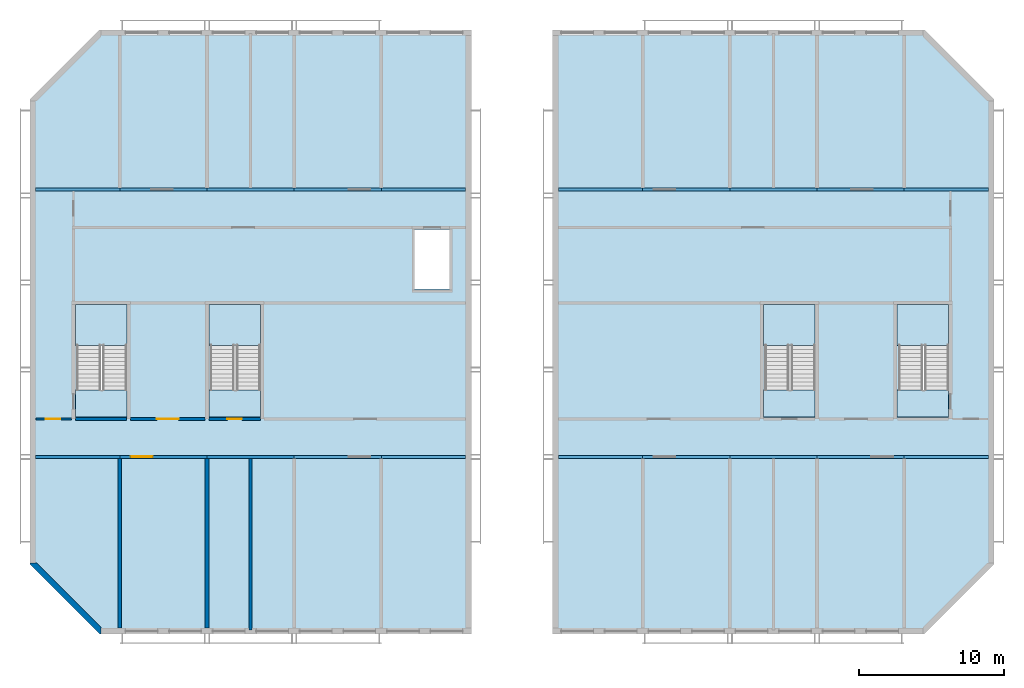
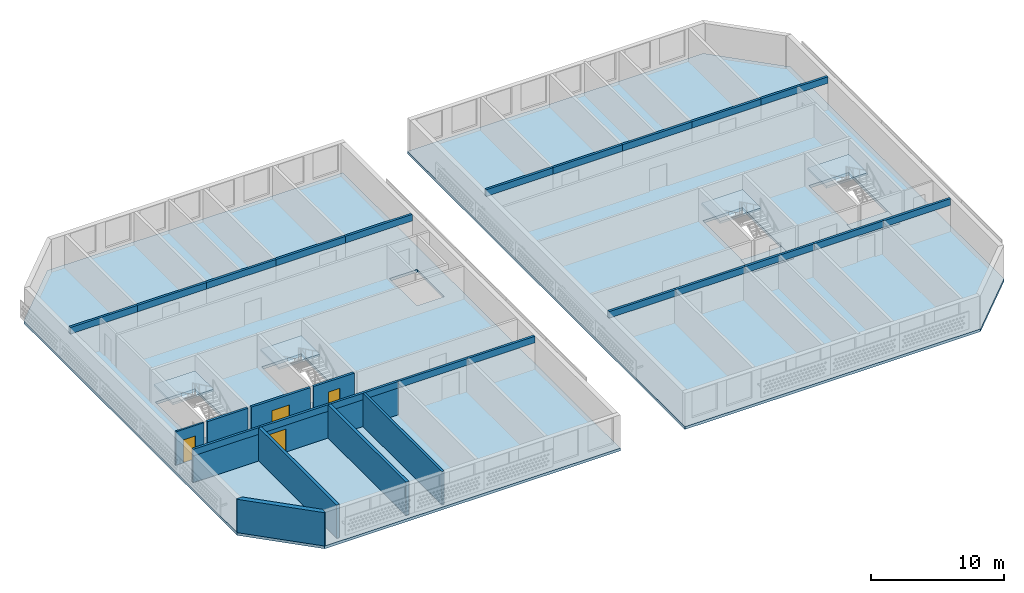
# One storey, part 1 of 18: 20 beams, 11 walls, 10 slabs, 4 doors, 4 openings, 4 elements without a shape of their own.
"""IFC4 building model written with IfcOpenShell, lengths in metres."""

from ifc_helpers import new_model, si_unit, direction, frame, frame_2d, origin, origin_2d, place, context, subcontext, project, spatial, polyline, rectangle, outline, extrude, source, transform, mapped, material, layer, layer_set, material_profile, profile_set, type_object, element, fill, aggregate, save


model = new_model("IFC4")

# Units and contexts
model_context = context("Model", 3, precision=1e-05, world=origin(), true_north=direction((0.0, 1.0)))
body_context = subcontext(model_context, "Body", "Model", "MODEL_VIEW")
ifc_project = project(units=[si_unit("LENGTHUNIT", "METRE"), si_unit("AREAUNIT", "SQUARE_METRE"), si_unit("VOLUMEUNIT", "CUBIC_METRE"), si_unit("PLANEANGLEUNIT", "RADIAN"), si_unit("MASSUNIT", "GRAM", prefix="KILO")], contexts=[model_context])

# Site, building, storey
site_placement = place(None, origin())
site = spatial("IfcSite", under=ifc_project, at=site_placement, CompositionType="ELEMENT")
building_placement = place(site_placement, origin())
building = spatial("IfcBuilding", under=site, at=building_placement, Name="Poui Terraces", CompositionType="ELEMENT")
storey_placement = place(building_placement, frame((0.0, 0.0, 275.699951171875)))
storey = spatial("IfcBuildingStorey", under=building, at=storey_placement, Name="L76 CROWN", CompositionType="ELEMENT", Elevation=275.699951171875)

# Beams
ifc_material_1 = material(Name="Concrete 50 MPa", Category="concrete")
ifc_material_profile = material_profile(ifc_material_1, rectangle(XDim=0.199951171875, YDim=0.60009765625, at=origin_2d()), Name="RC 200x600")
ifc_profile_set = profile_set([ifc_material_profile], Name="Concrete 50 MPa")
beam_type = type_object("IfcBeamType", Name="COUPLING BEAM 200x600 50MPa", PredefinedType="BEAM", material=ifc_profile_set)
shared_shape_1 = source(origin(), body_context, "Body", "SweptSolid", [
    extrude(rectangle(XDim=0.199951171875, YDim=0.60009765625, at=origin_2d()), origin(), (0.0, 0.0, 1.0), 5.800048828125),
])
for number, where, z_axis, x_axis, name in (
    (1, (18.199951171875, 12.0, 2.75), (1.0, 0.0, 0.0), (0.0, 1.0, 0.0), "COUPLING BEAM LINE B BAY W1"),
    (2, (42.0, 12.0, 2.75), (1.0, 0.0, 0.0), (0.0, 1.0, 0.0), "COUPLING BEAM LINE B BAY W5"),
    (3, (18.199951171875, 30.39990234375, 2.75), (1.0, 0.0, 0.0), (0.0, 1.0, 0.0), "COUPLING BEAM LINE E BAY W1"),
    (4, (42.0, 30.39990234375, 2.75), (1.0, 0.0, 0.0), (0.0, 1.0, 0.0), "COUPLING BEAM LINE E BAY W5"),
    (5, (54.199951171875, 12.0, 2.75), (1.0, 0.0, 0.0), (0.0, 1.0, 0.0), "COUPLING BEAM LINE B BAY E1"),
    (6, (78.0, 12.0, 2.75), (1.0, 0.0, 0.0), (0.0, 1.0, 0.0), "COUPLING BEAM LINE B BAY E5"),
    (7, (54.199951171875, 30.39990234375, 2.75), (1.0, 0.0, 0.0), (0.0, 1.0, 0.0), "COUPLING BEAM LINE E BAY E1"),
    (8, (78.0, 30.39990234375, 2.75), (1.0, 0.0, 0.0), (0.0, 1.0, 0.0), "COUPLING BEAM LINE E BAY E5"),
):
    element("IfcBeam", number, at=place(storey_placement, frame(where, z_axis=z_axis, x_axis=x_axis)), inside=storey, type_object=beam_type, Name=name, PredefinedType="BEAM", context=body_context, shape_type="MappedRepresentation", body=[
        mapped(shared_shape_1, transform((0.0, 0.0, 0.0))),
    ])
shared_shape_2 = source(origin(), body_context, "Body", "SweptSolid", [
    extrude(rectangle(XDim=0.199951171875, YDim=0.60009765625, at=origin_2d()), origin(), (0.0, 0.0, 1.0), 6.0),
])
for number, where, z_axis, x_axis, name in (
    (9, (24.0, 12.0, 2.75), (1.0, 0.0, 0.0), (0.0, 1.0, 0.0), "COUPLING BEAM LINE B BAY W2"),
    (10, (30.0, 12.0, 2.75), (1.0, 0.0, 0.0), (0.0, 1.0, 0.0), "COUPLING BEAM LINE B BAY W3"),
    (11, (36.0, 12.0, 2.75), (1.0, 0.0, 0.0), (0.0, 1.0, 0.0), "COUPLING BEAM LINE B BAY W4"),
    (12, (24.0, 30.39990234375, 2.75), (1.0, 0.0, 0.0), (0.0, 1.0, 0.0), "COUPLING BEAM LINE E BAY W2"),
    (13, (30.0, 30.39990234375, 2.75), (1.0, 0.0, 0.0), (0.0, 1.0, 0.0), "COUPLING BEAM LINE E BAY W3"),
    (14, (36.0, 30.39990234375, 2.75), (1.0, 0.0, 0.0), (0.0, 1.0, 0.0), "COUPLING BEAM LINE E BAY W4"),
    (15, (60.0, 12.0, 2.75), (1.0, 0.0, 0.0), (0.0, 1.0, 0.0), "COUPLING BEAM LINE B BAY E2"),
    (16, (66.0, 12.0, 2.75), (1.0, 0.0, 0.0), (0.0, 1.0, 0.0), "COUPLING BEAM LINE B BAY E3"),
    (17, (72.0, 12.0, 2.75), (1.0, 0.0, 0.0), (0.0, 1.0, 0.0), "COUPLING BEAM LINE B BAY E4"),
    (18, (60.0, 30.39990234375, 2.75), (1.0, 0.0, 0.0), (0.0, 1.0, 0.0), "COUPLING BEAM LINE E BAY E2"),
    (19, (66.0, 30.39990234375, 2.75), (1.0, 0.0, 0.0), (0.0, 1.0, 0.0), "COUPLING BEAM LINE E BAY E3"),
    (20, (72.0, 30.39990234375, 2.75), (1.0, 0.0, 0.0), (0.0, 1.0, 0.0), "COUPLING BEAM LINE E BAY E4"),
):
    element("IfcBeam", number, at=place(storey_placement, frame(where, z_axis=z_axis, x_axis=x_axis)), inside=storey, type_object=beam_type, Name=name, PredefinedType="BEAM", context=body_context, shape_type="MappedRepresentation", body=[
        mapped(shared_shape_2, transform((0.0, 0.0, 0.0))),
    ])

# Stair, slabs
stair_type = type_object("IfcStairType", Name="EXIT STAIR 1650 50 MPA", PredefinedType="HALF_TURN_STAIR", material=ifc_material_1)
stair_1_placement = place(storey_placement, origin())
stair_1 = element("IfcStair", 21, at=stair_1_placement, inside=storey, type_object=stair_type, Name="L76 CROWN CORE STAIR EAST", PredefinedType="HALF_TURN_STAIR")
ifc_layer_1 = layer(ifc_material_1, 0.199951171875)
ifc_layer_set_1 = layer_set([ifc_layer_1], Name="Concrete 50 MPa")
slab_type_1 = type_object("IfcSlabType", Name="STAIR LANDING 200 50 MPA", PredefinedType="LANDING", material=ifc_layer_set_1)
slab_1_placement = place(storey_placement, frame((0.0, 0.0, 1.449951171875)))
slab_1 = element("IfcSlab", 22, at=slab_1_placement, type_object=slab_type_1, Name="ST-CE landing 1", PredefinedType="LANDING", context=body_context, shape_type="SweptSolid", body=[
    extrude(outline(polyline([(68.324951171875, 19.679931640625), (71.875, 19.679931640625), (71.875, 22.47509765625), (68.324951171875, 22.47509765625), (68.324951171875, 19.679931640625)])), origin(), (0.0, 0.0, 1.0), 0.2001953125),
])
slab_2_placement = place(storey_placement, frame((0.0, 0.0, -0.199951171875)))
slab_2 = element("IfcSlab", 23, at=slab_2_placement, type_object=slab_type_1, Name="ST-CE landing 2", PredefinedType="LANDING", context=body_context, shape_type="SweptSolid", body=[
    extrude(outline(polyline([(68.324951171875, 14.75), (71.875, 14.75), (71.875, 16.60009765625), (68.324951171875, 16.60009765625), (68.324951171875, 14.75)])), origin(), (0.0, 0.0, 1.0), 0.199951171875),
])
aggregate(stair_1, [slab_1, slab_2])

stair_2_placement = place(storey_placement, origin())
stair_2 = element("IfcStair", 24, at=stair_2_placement, inside=storey, type_object=stair_type, Name="L76 CROWN CORE STAIR WEST", PredefinedType="HALF_TURN_STAIR")
slab_3_placement = place(storey_placement, frame((0.0, 0.0, 1.449951171875)))
slab_3 = element("IfcSlab", 25, at=slab_3_placement, type_object=slab_type_1, Name="ST-CW landing 1", PredefinedType="LANDING", context=body_context, shape_type="SweptSolid", body=[
    extrude(outline(polyline([(30.125, 19.679931640625), (33.675048828125, 19.679931640625), (33.675048828125, 22.47509765625), (30.125, 22.47509765625), (30.125, 19.679931640625)])), origin(), (0.0, 0.0, 1.0), 0.2001953125),
])
slab_4_placement = place(storey_placement, frame((0.0, 0.0, -0.199951171875)))
slab_4 = element("IfcSlab", 26, at=slab_4_placement, type_object=slab_type_1, Name="ST-CW landing 2", PredefinedType="LANDING", context=body_context, shape_type="SweptSolid", body=[
    extrude(outline(polyline([(30.125, 14.75), (33.675048828125, 14.75), (33.675048828125, 16.60009765625), (30.125, 16.60009765625), (30.125, 14.75)])), origin(), (0.0, 0.0, 1.0), 0.199951171875),
])
aggregate(stair_2, [slab_3, slab_4])

stair_3_placement = place(storey_placement, origin())
stair_3 = element("IfcStair", 27, at=stair_3_placement, inside=storey, type_object=stair_type, Name="L76 CROWN TIP STAIR EAST", PredefinedType="HALF_TURN_STAIR")
slab_5_placement = place(storey_placement, frame((0.0, 0.0, 1.449951171875)))
slab_5 = element("IfcSlab", 28, at=slab_5_placement, type_object=slab_type_1, Name="ST-E landing 1", PredefinedType="LANDING", context=body_context, shape_type="SweptSolid", body=[
    extrude(outline(polyline([(77.52490234375, 19.679931640625), (81.074951171875, 19.679931640625), (81.074951171875, 22.47509765625), (77.52490234375, 22.47509765625), (77.52490234375, 19.679931640625)])), origin(), (0.0, 0.0, 1.0), 0.2001953125),
])
slab_6_placement = place(storey_placement, frame((0.0, 0.0, -0.199951171875)))
slab_6 = element("IfcSlab", 29, at=slab_6_placement, type_object=slab_type_1, Name="ST-E landing 2", PredefinedType="LANDING", context=body_context, shape_type="SweptSolid", body=[
    extrude(outline(polyline([(77.52490234375, 14.75), (81.074951171875, 14.75), (81.074951171875, 16.60009765625), (77.52490234375, 16.60009765625), (77.52490234375, 14.75)])), origin(), (0.0, 0.0, 1.0), 0.199951171875),
])
aggregate(stair_3, [slab_5, slab_6])

stair_4_placement = place(storey_placement, origin())
stair_4 = element("IfcStair", 30, at=stair_4_placement, inside=storey, type_object=stair_type, Name="L76 CROWN TIP STAIR WEST", PredefinedType="HALF_TURN_STAIR")
slab_7_placement = place(storey_placement, frame((0.0, 0.0, 1.449951171875)))
slab_7 = element("IfcSlab", 31, at=slab_7_placement, type_object=slab_type_1, Name="ST-W landing 1", PredefinedType="LANDING", context=body_context, shape_type="SweptSolid", body=[
    extrude(outline(polyline([(20.925048828125, 19.679931640625), (24.47509765625, 19.679931640625), (24.47509765625, 22.47509765625), (20.925048828125, 22.47509765625), (20.925048828125, 19.679931640625)])), origin(), (0.0, 0.0, 1.0), 0.2001953125),
])
slab_8_placement = place(storey_placement, frame((0.0, 0.0, -0.199951171875)))
slab_8 = element("IfcSlab", 32, at=slab_8_placement, type_object=slab_type_1, Name="ST-W landing 2", PredefinedType="LANDING", context=body_context, shape_type="SweptSolid", body=[
    extrude(outline(polyline([(20.925048828125, 14.75), (24.47509765625, 14.75), (24.47509765625, 16.60009765625), (20.925048828125, 16.60009765625), (20.925048828125, 14.75)])), origin(), (0.0, 0.0, 1.0), 0.199951171875),
])
aggregate(stair_4, [slab_7, slab_8])

# Slabs
ifc_material_2 = material(Name="Concrete 40 MPa", Category="concrete")
ifc_layer_2 = layer(ifc_material_2, 0.25)
ifc_layer_set_2 = layer_set([ifc_layer_2], Name="Concrete 40 MPa")
slab_type_2 = type_object("IfcSlabType", Name="FLOOR SLAB 250", PredefinedType="FLOOR", material=ifc_layer_set_2)
shared_shape_3 = source(origin(), body_context, "Body", "SweptSolid", [
    extrude(outline(polyline([(0.0, 0.0), (4.800048828125, -4.800048828125), (30.39990234375, -4.800048828125), (30.39990234375, 36.7998046875), (4.800048828125, 36.7998046875), (0.0, 32.0), (0.0, 0.0)]), holes=[polyline([(3.125, 12.0), (3.224853515625, 12.0), (3.224853515625, 17.849853515625), (6.675048828125, 17.849853515625), (6.675048828125, 12.0), (6.675048828125, 10.14990234375), (3.125, 10.14990234375), (3.125, 12.0)]), polyline([(12.324951171875, 12.0), (12.425048828125, 12.0), (12.425048828125, 17.849853515625), (15.875, 17.849853515625), (15.875, 12.0), (15.875, 10.14990234375), (12.324951171875, 10.14990234375), (12.324951171875, 12.0)]), polyline([(28.89990234375, 18.949951171875), (26.5, 18.949951171875), (26.5, 23.0498046875), (28.89990234375, 23.0498046875), (28.89990234375, 18.949951171875)])]), origin(), (0.0, 0.0, 1.0), 0.25),
])
slab_9_placement = place(storey_placement, frame((17.800048828125, 4.60009765625, -0.25)))
element("IfcSlab", 33, at=slab_9_placement, inside=storey, type_object=slab_type_2, Name="FLOOR SLAB", PredefinedType="FLOOR", context=body_context, shape_type="MappedRepresentation", body=[
    mapped(shared_shape_3, transform((0.0, 0.0, 0.0))),
])
shared_shape_4 = source(origin(), body_context, "Body", "SweptSolid", [
    extrude(outline(polyline([(0.0, 0.0), (0.0, -41.599853515625), (25.599853515625, -41.599853515625), (30.39990234375, -36.7998046875), (30.39990234375, -4.7998046875), (25.599853515625, 0.0), (0.0, 0.0)]), holes=[polyline([(14.52490234375, -24.7998046875), (14.625, -24.7998046875), (14.625, -18.949951171875), (18.074951171875, -18.949951171875), (18.074951171875, -24.7998046875), (18.074951171875, -26.64990234375), (14.52490234375, -26.64990234375), (14.52490234375, -24.7998046875)]), polyline([(23.824951171875, -24.7998046875), (23.824951171875, -18.949951171875), (27.27490234375, -18.949951171875), (27.27490234375, -24.7998046875), (27.27490234375, -26.64990234375), (23.724853515625, -26.64990234375), (23.724853515625, -24.7998046875), (23.824951171875, -24.7998046875)])]), origin(), (0.0, 0.0, 1.0), 0.25),
])
slab_10_placement = place(storey_placement, frame((53.800048828125, 41.39990234375, -0.25)))
element("IfcSlab", 34, at=slab_10_placement, inside=storey, type_object=slab_type_2, Name="FLOOR SLAB", PredefinedType="FLOOR", context=body_context, shape_type="MappedRepresentation", body=[
    mapped(shared_shape_4, transform((0.0, 0.0, 0.0))),
])

# Wall, opening, door
ifc_material_3 = material(Name="Fire-rated plasterboard wall")
ifc_layer_3 = layer(ifc_material_3, 0.14990234375)
ifc_layer_set_3 = layer_set([ifc_layer_3], Name="Fire-rated plasterboard wall")
wall_type_1 = type_object("IfcWallType", Name="CORRIDOR WALL 150", PredefinedType="PARTITIONING", material=ifc_layer_set_3)
wall_1_placement = place(storey_placement, frame((18.2099609375, 14.60009765625, 0.0), z_axis=(0.0, 0.0, 1.0), x_axis=(1.0, 0.0, 0.0)))
wall_1 = element("IfcWall", 35, at=wall_1_placement, inside=storey, type_object=wall_type_1, Name="CORRIDOR WALL 150", PredefinedType="PARTITIONING", context=body_context, shape_type="SweptSolid", body=[
    extrude(rectangle(XDim=2.455078125, YDim=0.14990234375, at=frame_2d((1.2275390625, 0.0))), origin(), (0.0, 0.0, 1.0), 3.050048828125),
])
opening_1_placement = place(wall_1_placement, frame((0.68994140625, 0.0, 0.0)))
opening_1 = element("IfcOpeningElement", 36, at=opening_1_placement, cuts=wall_1, Name="Opening FDL", PredefinedType="OPENING", context=body_context, shape_type="SweptSolid", body=[
    extrude(rectangle(XDim=1.0, YDim=2.10009765625, at=frame_2d((0.5, 1.050048828125))), frame((0.0, 0.0849609375, 0.0), z_axis=(0.0, -1.0, 0.0), x_axis=(1.0, 0.0, 0.0)), (0.0, 0.0, 1.0), 0.169921875),
])
ifc_material_4 = material(Name="Steel fire door", Category="steel")
door_type_1 = type_object("IfcDoorType", Name="LOBBY FIRE DOOR 1000 X 2100", OperationType="NOTDEFINED", PredefinedType="DOOR", material=ifc_material_4)
door_1_placement = place(opening_1_placement, origin())
door_1 = element("IfcDoor", 37, at=door_1_placement, inside=storey, type_object=door_type_1, Name="LOBBY FIRE DOOR 020", OperationType="SINGLE_SWING_RIGHT", OverallHeight=2.10009765625, OverallWidth=1.0, PredefinedType="DOOR", context=body_context, shape_type="SweptSolid", body=[
    extrude(rectangle(XDim=1.0, YDim=2.10009765625, at=frame_2d((0.5, 1.050048828125))), frame((0.0, 0.02490234375, 0.0), z_axis=(0.0, -1.0, 0.0), x_axis=(1.0, 0.0, 0.0)), (0.0, 0.0, 1.0), 0.050048828125),
])
fill(opening_1, door_1)

# Wall
ifc_layer_4 = layer(ifc_material_1, 0.199951171875)
ifc_layer_set_4 = layer_set([ifc_layer_4], Name="Concrete 50 MPa")
wall_type_2 = type_object("IfcWallType", Name="CORRIDOR WALL 200 50MPa", PredefinedType="SHEAR", material=ifc_layer_set_4)
wall_2_placement = place(storey_placement, frame((18.199951171875, 12.0, 0.0), z_axis=(0.0, 0.0, 1.0), x_axis=(1.0, 0.0, 0.0)))
element("IfcWall", 38, at=wall_2_placement, inside=storey, type_object=wall_type_2, Name="CORRIDOR WALL LINE B BAY W1", PredefinedType="SHEAR", context=body_context, shape_type="SweptSolid", body=[
    extrude(rectangle(XDim=5.800048828125, YDim=0.199951171875, at=frame_2d((2.89990234375, 0.0))), origin(), (0.0, 0.0, 1.0), 2.449951171875),
])

# Wall, opening, door
wall_3_placement = place(storey_placement, frame((24.0, 12.0, 0.0), z_axis=(0.0, 0.0, 1.0), x_axis=(1.0, 0.0, 0.0)))
wall_3 = element("IfcWall", 39, at=wall_3_placement, inside=storey, type_object=wall_type_2, Name="CORRIDOR WALL LINE B BAY W2", PredefinedType="SHEAR", context=body_context, shape_type="SweptSolid", body=[
    extrude(rectangle(XDim=6.0, YDim=0.199951171875, at=frame_2d((3.0, 0.0))), origin(), (0.0, 0.0, 1.0), 2.449951171875),
])
opening_2_placement = place(wall_3_placement, frame((0.75, 0.0, 0.0)))
opening_2 = element("IfcOpeningElement", 40, at=opening_2_placement, cuts=wall_3, Name="Opening FDP", PredefinedType="OPENING", context=body_context, shape_type="SweptSolid", body=[
    extrude(rectangle(XDim=1.5, YDim=2.10009765625, at=frame_2d((0.75, 1.050048828125))), frame((0.0, 0.10986328125, 0.0), z_axis=(0.0, -1.0, 0.0), x_axis=(1.0, 0.0, 0.0)), (0.0, 0.0, 1.0), 0.219970703125),
])
door_type_2 = type_object("IfcDoorType", Name="PLANT ROOM DOOR PAIR 1500 X 2100", OperationType="DOUBLE_DOOR_SINGLE_SWING", PredefinedType="DOOR", material=ifc_material_4)
door_2_placement = place(opening_2_placement, origin())
door_2 = element("IfcDoor", 41, at=door_2_placement, inside=storey, type_object=door_type_2, Name="PLANT ROOM DOOR PAIR 016", OperationType="DOUBLE_DOOR_SINGLE_SWING", OverallHeight=2.10009765625, OverallWidth=1.5, PredefinedType="DOOR", context=body_context, shape_type="SweptSolid", body=[
    extrude(rectangle(XDim=1.5, YDim=2.10009765625, at=frame_2d((0.75, 1.050048828125))), frame((0.0, 0.02490234375, 0.0), z_axis=(0.0, -1.0, 0.0), x_axis=(1.0, 0.0, 0.0)), (0.0, 0.0, 1.0), 0.050048828125),
])
fill(opening_2, door_2)

# Walls
wall_4_placement = place(storey_placement, frame((30.0, 12.0, 0.0), z_axis=(0.0, 0.0, 1.0), x_axis=(1.0, 0.0, 0.0)))
element("IfcWall", 42, at=wall_4_placement, inside=storey, type_object=wall_type_2, Name="CORRIDOR WALL LINE B BAY W3", PredefinedType="SHEAR", context=body_context, shape_type="SweptSolid", body=[
    extrude(rectangle(XDim=6.0, YDim=0.199951171875, at=frame_2d((3.0, 0.0))), origin(), (0.0, 0.0, 1.0), 2.449951171875),
])
ifc_layer_5 = layer(ifc_material_1, 0.25)
ifc_layer_set_5 = layer_set([ifc_layer_5], Name="Concrete 50 MPa")
wall_type_3 = type_object("IfcWallType", Name="CROSS WALL 250 50MPa", PredefinedType="SHEAR", material=ifc_layer_set_5)
for number, where, z_axis, x_axis, name in (
    (43, (24.0, 0.199951171875, 0.0), (0.0, 0.0, 1.0), (0.0, 1.0, 0.0), "CROSS WALL LINE 5 SOUTH"),
    (44, (30.0, 0.199951171875, 0.0), (0.0, 0.0, 1.0), (0.0, 1.0, 0.0), "CROSS WALL LINE 6 SOUTH"),
):
    element("IfcWall", number, at=place(storey_placement, frame(where, z_axis=z_axis, x_axis=x_axis)), inside=storey, type_object=wall_type_3, Name=name, PredefinedType="SHEAR", context=body_context, shape_type="SweptSolid", body=[
        extrude(rectangle(XDim=11.699951171875, YDim=0.25, at=frame_2d((5.85009765625, 0.0))), origin(), (0.0, 0.0, 1.0), 3.050048828125),
    ])

# Wall, opening, door
ifc_material_5 = material(Name="Fire-rated masonry wall", Category="masonry")
ifc_layer_6 = layer(ifc_material_5, 0.199951171875)
ifc_layer_set_6 = layer_set([ifc_layer_6], Name="Fire-rated masonry wall")
wall_type_4 = type_object("IfcWallType", Name="PLANT ROOM WALL 200", PredefinedType="PARTITIONING", material=ifc_layer_set_6)
wall_5_placement = place(storey_placement, frame((24.735107421875, 14.60009765625, 0.0), z_axis=(0.0, 0.0, 1.0), x_axis=(1.0, 0.0, 0.0)))
wall_5 = element("IfcWall", 45, at=wall_5_placement, inside=storey, type_object=wall_type_4, Name="PLANT ROOM WALL 200", PredefinedType="PARTITIONING", context=body_context, shape_type="SweptSolid", body=[
    extrude(rectangle(XDim=5.1298828125, YDim=0.199951171875, at=frame_2d((2.56494140625, 0.0))), origin(), (0.0, 0.0, 1.0), 3.050048828125),
])
opening_3_placement = place(wall_5_placement, frame((1.81494140625, 0.0, 0.0)))
opening_3 = element("IfcOpeningElement", 46, at=opening_3_placement, cuts=wall_5, Name="Opening FDP", PredefinedType="OPENING", context=body_context, shape_type="SweptSolid", body=[
    extrude(rectangle(XDim=1.5, YDim=2.10009765625, at=frame_2d((0.75, 1.050048828125))), frame((0.0, 0.10986328125, 0.0), z_axis=(0.0, -1.0, 0.0), x_axis=(1.0, 0.0, 0.0)), (0.0, 0.0, 1.0), 0.219970703125),
])
door_3_placement = place(opening_3_placement, frame((1.5, 0.0, 0.0), z_axis=(0.0, 0.0, 1.0), x_axis=(-1.0, 0.0, 0.0)))
door_3 = element("IfcDoor", 47, at=door_3_placement, inside=storey, type_object=door_type_2, Name="PLANT ROOM DOOR PAIR 017", OperationType="DOUBLE_DOOR_SINGLE_SWING", OverallHeight=2.10009765625, OverallWidth=1.5, PredefinedType="DOOR", context=body_context, shape_type="SweptSolid", body=[
    extrude(rectangle(XDim=1.5, YDim=2.10009765625, at=frame_2d((0.75, 1.050048828125))), frame((0.0, 0.02490234375, 0.0), z_axis=(0.0, -1.0, 0.0), x_axis=(1.0, 0.0, 0.0)), (0.0, 0.0, 1.0), 0.050048828125),
])
fill(opening_3, door_3)

# Walls
wall_6_placement = place(storey_placement, frame((33.0, 0.06005859375, 0.0), z_axis=(0.0, 0.0, 1.0), x_axis=(0.0, 1.0, 0.0)))
element("IfcWall", 48, at=wall_6_placement, inside=storey, type_object=wall_type_4, Name="PLANT ROOM WALL 200", PredefinedType="PARTITIONING", context=body_context, shape_type="SweptSolid", body=[
    extrude(rectangle(XDim=11.829833984375, YDim=0.199951171875, at=frame_2d((5.9150390625, 0.0))), origin(), (0.0, 0.0, 1.0), 3.050048828125),
])
ifc_layer_7 = layer(ifc_material_5, 0.199951171875)
ifc_layer_set_7 = layer_set([ifc_layer_7], Name="Fire-rated masonry wall")
wall_type_5 = type_object("IfcWallType", Name="STAIR WALL 200", PredefinedType="PARTITIONING", material=ifc_layer_set_7)
wall_7_placement = place(storey_placement, frame((20.93505859375, 14.60009765625, 0.0), z_axis=(0.0, 0.0, 1.0), x_axis=(1.0, 0.0, 0.0)))
element("IfcWall", 49, at=wall_7_placement, inside=storey, type_object=wall_type_5, Name="STAIR WALL 200", PredefinedType="PARTITIONING", context=body_context, shape_type="SweptSolid", body=[
    extrude(rectangle(XDim=3.530029296875, YDim=0.199951171875, at=frame_2d((1.76513671875, 0.0))), origin(), (0.0, 0.0, 1.0), 3.050048828125),
])

# Wall, opening, door
wall_8_placement = place(storey_placement, frame((30.135009765625, 14.60009765625, 0.0), z_axis=(0.0, 0.0, 1.0), x_axis=(1.0, 0.0, 0.0)))
wall_8 = element("IfcWall", 50, at=wall_8_placement, inside=storey, type_object=wall_type_5, Name="STAIR WALL 200", PredefinedType="PARTITIONING", context=body_context, shape_type="SweptSolid", body=[
    extrude(rectangle(XDim=3.530029296875, YDim=0.199951171875, at=frame_2d((1.76513671875, 0.0))), origin(), (0.0, 0.0, 1.0), 3.050048828125),
])
opening_4_placement = place(wall_8_placement, frame((1.264892578125, 0.0, 0.0)))
opening_4 = element("IfcOpeningElement", 51, at=opening_4_placement, cuts=wall_8, Name="Opening FD60S", PredefinedType="OPENING", context=body_context, shape_type="SweptSolid", body=[
    extrude(rectangle(XDim=1.0, YDim=2.10009765625, at=frame_2d((0.5, 1.050048828125))), frame((0.0, 0.10986328125, 0.0), z_axis=(0.0, -1.0, 0.0), x_axis=(1.0, 0.0, 0.0)), (0.0, 0.0, 1.0), 0.219970703125),
])
door_type_3 = type_object("IfcDoorType", Name="STAIR DOOR 1000 X 2100", OperationType="NOTDEFINED", PredefinedType="DOOR", material=ifc_material_4)
door_4_placement = place(opening_4_placement, frame((1.0, 0.0, 0.0), z_axis=(0.0, 0.0, 1.0), x_axis=(-1.0, 0.0, 0.0)))
door_4 = element("IfcDoor", 52, at=door_4_placement, inside=storey, type_object=door_type_3, Name="STAIR DOOR 023", OperationType="SINGLE_SWING_RIGHT", OverallHeight=2.10009765625, OverallWidth=1.0, PredefinedType="DOOR", context=body_context, shape_type="SweptSolid", body=[
    extrude(rectangle(XDim=1.0, YDim=2.10009765625, at=frame_2d((0.5, 1.050048828125))), frame((0.0, 0.02490234375, 0.0), z_axis=(0.0, -1.0, 0.0), x_axis=(1.0, 0.0, 0.0)), (0.0, 0.0, 1.0), 0.050048828125),
])
fill(opening_4, door_4)

# Wall
ifc_material_6 = material(Name="Precast concrete 40 MPa", Category="concrete")
ifc_layer_8 = layer(ifc_material_6, 0.39990234375)
ifc_layer_set_8 = layer_set([ifc_layer_8], Name="Precast concrete 40 MPa")
wall_type_6 = type_object("IfcWallType", Name="TERRACOTTA CLAD CHAMFER WALL 400", PredefinedType="STANDARD", material=ifc_layer_set_8)
wall_9_placement = place(storey_placement, origin())
element("IfcWall", 53, at=wall_9_placement, inside=storey, type_object=wall_type_6, Name="CHAMFER WALL CH05", PredefinedType="STANDARD", context=body_context, shape_type="SweptSolid", body=[
    extrude(outline(polyline([(17.800048828125, 4.682861328125), (17.800048828125, 4.60009765625), (22.60009765625, -0.199951171875), (22.682861328125, -0.199951171875), (22.682861328125, 0.28271484375), (18.28271484375, 4.682861328125), (17.800048828125, 4.682861328125)])), origin(), (0.0, 0.0, 1.0), 3.050048828125),
])

save(model, "model.ifc")
